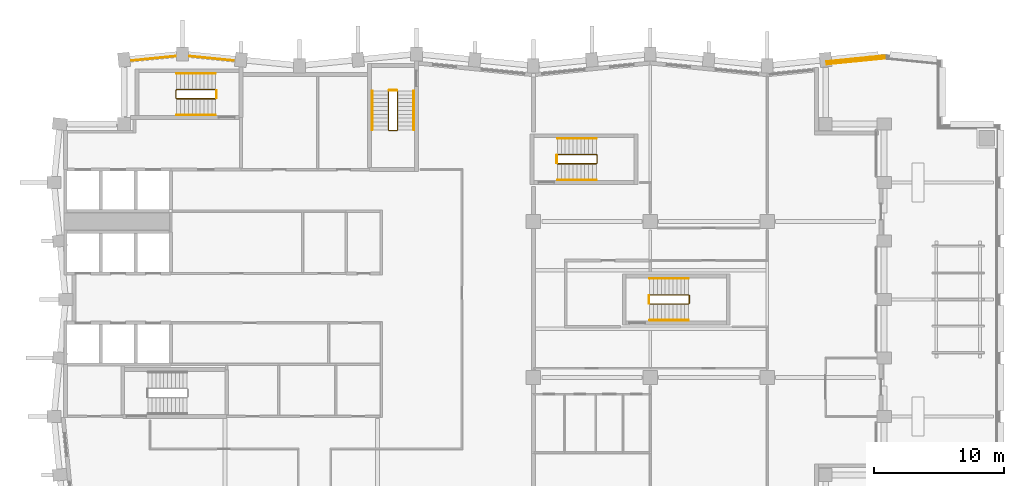
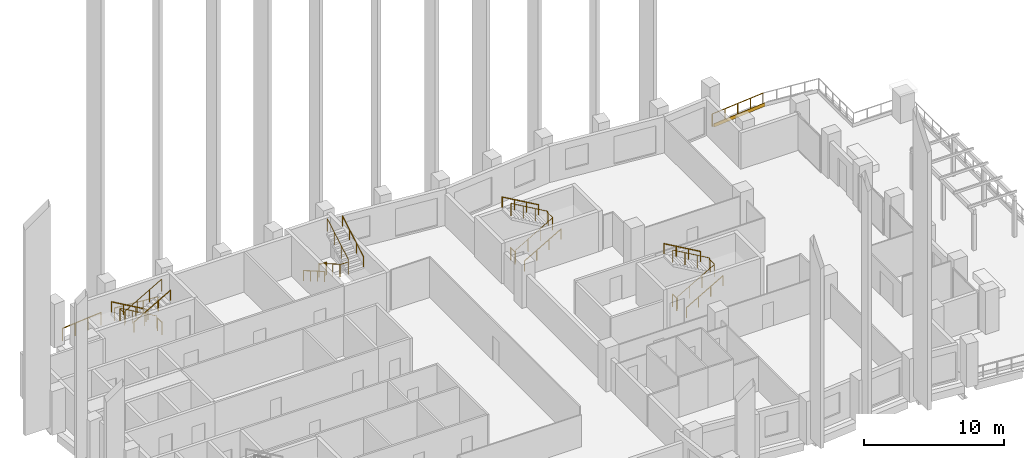
# One storey, part 17 of 18: 19 railings, 1 covering.
"""IFC4 building model written with IfcOpenShell, lengths in metres."""

from ifc_helpers import new_model, si_unit, direction, frame, origin, origin_2d, place, context, subcontext, project, spatial, polyline, circle, outline, extrude, material, layer, layer_set, type_object, element, save


model = new_model("IFC4")

# Units and contexts
model_context = context("Model", 3, precision=1e-05, world=origin(), true_north=direction((0.0, 1.0)))
body_context = subcontext(model_context, "Body", "Model", "MODEL_VIEW")
ifc_project = project(units=[si_unit("LENGTHUNIT", "METRE"), si_unit("AREAUNIT", "SQUARE_METRE"), si_unit("VOLUMEUNIT", "CUBIC_METRE"), si_unit("PLANEANGLEUNIT", "RADIAN"), si_unit("MASSUNIT", "GRAM", prefix="KILO")], contexts=[model_context])

# Site, building, storey
site_placement = place(None, origin())
site = spatial("IfcSite", under=ifc_project, at=site_placement, CompositionType="ELEMENT")
building_placement = place(site_placement, origin())
building = spatial("IfcBuilding", under=site, at=building_placement, Name="Brondeck Convention Tower", CompositionType="ELEMENT")
storey_placement = place(building_placement, frame((0.0, 0.0, 143.39990234375)))
storey = spatial("IfcBuildingStorey", under=building, at=storey_placement, Name="L34", CompositionType="ELEMENT", Elevation=143.39990234375)

# Railings
ifc_material_1 = material(Name="Steel S355, bronze painted", Category="steel")
railing_type_1 = type_object("IfcRailingType", Name="Guard, bronze steel rail and posts", PredefinedType="GUARDRAIL", material=ifc_material_1)
railing_1_placement = place(storey_placement, frame((58.564697265625, 63.3056640625, 0.0)))
element("IfcRailing", 1, at=railing_1_placement, inside=storey, type_object=railing_type_1, Name="ENV-S1-2b-RL1", PredefinedType="GUARDRAIL", context=body_context, shape_type="SweptSolid", body=[
    extrude(circle(Radius=0.02490234375, at=origin_2d()), frame((0.0, 0.0, 1.0751953125), z_axis=(0.995036109194, 0.099514528586, 0.0), x_axis=(-0.099514528586, 0.995036109194, 0.0)), (0.0, 0.0, 1.0), 4.472412109375),
    extrude(circle(Radius=0.02490234375, at=origin_2d()), origin(), (0.0, 0.0, 1.0), 1.050048828125),
    extrude(circle(Radius=0.02490234375, at=origin_2d()), frame((1.112548828125, 0.111328125, 0.0)), (0.0, 0.0, 1.0), 1.050048828125),
    extrude(circle(Radius=0.02490234375, at=origin_2d()), frame((2.22509765625, 0.22265625, 0.0)), (0.0, 0.0, 1.0), 1.050048828125),
    extrude(circle(Radius=0.02490234375, at=origin_2d()), frame((3.337646484375, 0.333740234375, 0.0)), (0.0, 0.0, 1.0), 1.050048828125),
    extrude(circle(Radius=0.02490234375, at=origin_2d()), frame((4.4501953125, 0.445068359375, 0.0)), (0.0, 0.0, 1.0), 1.050048828125),
])
railing_2_placement = place(storey_placement, frame((5.0791015625, 63.38720703125, 0.0)))
element("IfcRailing", 2, at=railing_2_placement, inside=storey, type_object=railing_type_1, Name="ENV-RL-L34-REAR1", PredefinedType="GUARDRAIL", context=body_context, shape_type="SweptSolid", body=[
    extrude(circle(Radius=0.02490234375, at=origin_2d()), frame((0.0, 0.0, 1.0751953125), z_axis=(0.995034331298, 0.099532303994, 0.0), x_axis=(-0.099532303994, 0.995034331298, 0.0)), (0.0, 0.0, 1.0), 3.382568359375),
    extrude(circle(Radius=0.02490234375, at=origin_2d()), origin(), (0.0, 0.0, 1.0), 1.050048828125),
    extrude(circle(Radius=0.02490234375, at=origin_2d()), frame((1.121826171875, 0.1123046875, 0.0)), (0.0, 0.0, 1.0), 1.050048828125),
    extrude(circle(Radius=0.02490234375, at=origin_2d()), frame((2.243896484375, 0.224365234375, 0.0)), (0.0, 0.0, 1.0), 1.050048828125),
    extrude(circle(Radius=0.02490234375, at=origin_2d()), frame((3.36572265625, 0.336669921875, 0.0)), (0.0, 0.0, 1.0), 1.050048828125),
])
railing_3_placement = place(storey_placement, frame((9.55517578125, 63.723876953125, 0.0)))
element("IfcRailing", 3, at=railing_3_placement, inside=storey, type_object=railing_type_1, Name="ENV-RL-L34-REAR2", PredefinedType="GUARDRAIL", context=body_context, shape_type="SweptSolid", body=[
    extrude(circle(Radius=0.02490234375, at=origin_2d()), frame((0.0, 0.0, 1.0751953125), z_axis=(0.995034331298, -0.099532303994, 0.0), x_axis=(0.099532303994, 0.995034331298, 0.0)), (0.0, 0.0, 1.0), 3.382568359375),
    extrude(circle(Radius=0.02490234375, at=origin_2d()), origin(), (0.0, 0.0, 1.0), 1.050048828125),
    extrude(circle(Radius=0.02490234375, at=origin_2d()), frame((1.121826171875, -0.1123046875, 0.0)), (0.0, 0.0, 1.0), 1.050048828125),
    extrude(circle(Radius=0.02490234375, at=origin_2d()), frame((2.243896484375, -0.224365234375, 0.0)), (0.0, 0.0, 1.0), 1.050048828125),
    extrude(circle(Radius=0.02490234375, at=origin_2d()), frame((3.36572265625, -0.336669921875, 0.0)), (0.0, 0.0, 1.0), 1.050048828125),
])

# Covering
ifc_material_2 = material(Name="Aluminium, bronze anodised", Category="aluminium")
ifc_layer = layer(ifc_material_2, 0.050048828125)
ifc_layer_set = layer_set([ifc_layer], Name="Snow retention bar")
covering_type = type_object("IfcCoveringType", Name="Snow retention bar", PredefinedType="MOLDING", material=ifc_layer_set)
covering_placement = place(storey_placement, frame((0.0, 0.0, 0.050048828125)))
element("IfcCovering", 4, at=covering_placement, inside=storey, type_object=covering_type, Name="ENV-S1-2b-SR1", PredefinedType="MOLDING", context=body_context, shape_type="SweptSolid", body=[
    extrude(outline(polyline([(63.0322265625, 63.57666015625), (58.58203125, 63.131591796875), (58.5869140625, 63.081787109375), (63.037353515625, 63.52685546875), (63.0322265625, 63.57666015625)])), origin(), (0.0, 0.0, 1.0), 0.300048828125),
])

# Railings
ifc_material_3 = material(Name="Steel S355", Category="steel")
railing_type_2 = type_object("IfcRailingType", Name="Stair guard 1100", PredefinedType="GUARDRAIL", material=ifc_material_3)
railing_4_placement = place(storey_placement, frame((24.85009765625, 61.050048828125, 0.1728515625)))
element("IfcRailing", 5, at=railing_4_placement, inside=storey, type_object=railing_type_2, Name="L34 ST-2 stair guard 1", PredefinedType="GUARDRAIL", context=body_context, shape_type="SweptSolid", body=[
    extrude(circle(Radius=0.02392578125, at=origin_2d()), frame((0.0, 0.0, 1.076171875), z_axis=(0.0, -0.866619684472, 0.498969260062), x_axis=(1.0, 0.0, 0.0)), (0.0, 0.0, 1.0), 3.461669921875),
    extrude(circle(Radius=0.02392578125, at=origin_2d()), frame((0.0, -3.0, 2.80322265625), z_axis=(0.705375805398, -0.708833529934, 0.0), x_axis=(0.708833529934, 0.705375805398, 0.0)), (0.0, 0.0, 1.0), 0.070556640625),
    extrude(circle(Radius=0.02392578125, at=origin_2d()), frame((0.0498046875, -3.050048828125, 2.80322265625), z_axis=(1.0, 0.0, 0.0), x_axis=(0.0, 1.0, 0.0)), (0.0, 0.0, 1.0), 0.60009765625),
    extrude(circle(Radius=0.02392578125, at=origin_2d()), frame((0.64990234375, -3.050048828125, 2.80322265625), z_axis=(0.268277960024, 0.268277960024, 0.925231793839), x_axis=(-0.707106781187, 0.707106781187, 0.0)), (0.0, 0.0, 1.0), 0.1865234375),
    extrude(circle(Radius=0.02392578125, at=origin_2d()), frame((0.699951171875, -3.0, 2.97607421875), z_axis=(0.0, 0.866619684472, 0.498969260062), x_axis=(-1.0, 0.0, 0.0)), (0.0, 0.0, 1.0), 3.461669921875),
    extrude(circle(Radius=0.02099609375, at=origin_2d()), origin(), (0.0, 0.0, 1.0), 1.052001953125),
    extrude(circle(Radius=0.02099609375, at=origin_2d()), frame((0.0, -1.0, 0.57568359375)), (0.0, 0.0, 1.0), 1.052001953125),
    extrude(circle(Radius=0.02099609375, at=origin_2d()), frame((0.0, -2.0, 1.151611328125)), (0.0, 0.0, 1.0), 1.052001953125),
    extrude(circle(Radius=0.02099609375, at=origin_2d()), frame((0.0, -3.0, 1.727294921875)), (0.0, 0.0, 1.0), 1.052001953125),
    extrude(circle(Radius=0.02099609375, at=origin_2d()), frame((0.0498046875, -3.050048828125, 1.727294921875)), (0.0, 0.0, 1.0), 1.052001953125),
    extrude(circle(Radius=0.02099609375, at=origin_2d()), frame((0.64990234375, -3.050048828125, 1.727294921875)), (0.0, 0.0, 1.0), 1.052001953125),
    extrude(circle(Radius=0.02099609375, at=origin_2d()), frame((0.699951171875, -3.0, 1.89990234375)), (0.0, 0.0, 1.0), 1.052001953125),
    extrude(circle(Radius=0.02099609375, at=origin_2d()), frame((0.699951171875, -2.0, 2.4755859375)), (0.0, 0.0, 1.0), 1.052001953125),
    extrude(circle(Radius=0.02099609375, at=origin_2d()), frame((0.699951171875, -1.0, 3.051513671875)), (0.0, 0.0, 1.0), 1.052001953125),
    extrude(circle(Radius=0.02099609375, at=origin_2d()), frame((0.699951171875, 0.0, 3.627197265625)), (0.0, 0.0, 1.0), 1.052001953125),
])
railing_5_placement = place(storey_placement, frame((24.89990234375, 61.10009765625, 0.0)))
element("IfcRailing", 6, at=railing_5_placement, inside=storey, type_object=railing_type_2, Name="L34 ST-2 stair guard 2", PredefinedType="GUARDRAIL", context=body_context, shape_type="SweptSolid", body=[
    extrude(circle(Radius=0.02392578125, at=origin_2d()), frame((0.0, 0.0, 1.076171875), z_axis=(1.0, 0.0, 0.0), x_axis=(0.0, 1.0, 0.0)), (0.0, 0.0, 1.0), 0.60009765625),
    extrude(circle(Radius=0.02099609375, at=origin_2d()), origin(), (0.0, 0.0, 1.0), 1.052001953125),
    extrude(circle(Radius=0.02099609375, at=origin_2d()), frame((0.60009765625, 0.0, 0.0)), (0.0, 0.0, 1.0), 1.052001953125),
])
railing_6_placement = place(storey_placement, frame((11.550048828125, 61.14990234375, 0.1728515625)))
element("IfcRailing", 7, at=railing_6_placement, inside=storey, type_object=railing_type_2, Name="L34 ST-3 stair guard 1", PredefinedType="GUARDRAIL", context=body_context, shape_type="SweptSolid", body=[
    extrude(circle(Radius=0.02392578125, at=origin_2d()), frame((0.0, 0.0, 1.076171875), z_axis=(-0.866619684472, 0.0, 0.498969260062), x_axis=(0.0, -1.0, 0.0)), (0.0, 0.0, 1.0), 3.461669921875),
    extrude(circle(Radius=0.02392578125, at=origin_2d()), frame((-3.0, 0.0, 2.80322265625), z_axis=(-0.708833529934, -0.705375805398, 0.0), x_axis=(0.705375805398, -0.708833529934, 0.0)), (0.0, 0.0, 1.0), 0.070556640625),
    extrude(circle(Radius=0.02392578125, at=origin_2d()), frame((-3.050048828125, -0.0498046875, 2.80322265625), z_axis=(0.0, -1.0, 0.0), x_axis=(1.0, 0.0, 0.0)), (0.0, 0.0, 1.0), 0.60009765625),
    extrude(circle(Radius=0.02392578125, at=origin_2d()), frame((-3.050048828125, -0.64990234375, 2.80322265625), z_axis=(0.268277960024, -0.268277960024, 0.925231793839), x_axis=(0.707106781187, 0.707106781187, 0.0)), (0.0, 0.0, 1.0), 0.1865234375),
    extrude(circle(Radius=0.02392578125, at=origin_2d()), frame((-3.0, -0.699951171875, 2.97607421875), z_axis=(0.866619684472, 0.0, 0.498969260062), x_axis=(0.0, 1.0, 0.0)), (0.0, 0.0, 1.0), 3.461669921875),
    extrude(circle(Radius=0.02099609375, at=origin_2d()), origin(), (0.0, 0.0, 1.0), 1.052001953125),
    extrude(circle(Radius=0.02099609375, at=origin_2d()), frame((-1.0, 0.0, 0.57568359375)), (0.0, 0.0, 1.0), 1.052001953125),
    extrude(circle(Radius=0.02099609375, at=origin_2d()), frame((-2.0, 0.0, 1.151611328125)), (0.0, 0.0, 1.0), 1.052001953125),
    extrude(circle(Radius=0.02099609375, at=origin_2d()), frame((-3.0, 0.0, 1.727294921875)), (0.0, 0.0, 1.0), 1.052001953125),
    extrude(circle(Radius=0.02099609375, at=origin_2d()), frame((-3.050048828125, -0.0498046875, 1.727294921875)), (0.0, 0.0, 1.0), 1.052001953125),
    extrude(circle(Radius=0.02099609375, at=origin_2d()), frame((-3.050048828125, -0.64990234375, 1.727294921875)), (0.0, 0.0, 1.0), 1.052001953125),
    extrude(circle(Radius=0.02099609375, at=origin_2d()), frame((-3.0, -0.699951171875, 1.89990234375)), (0.0, 0.0, 1.0), 1.052001953125),
    extrude(circle(Radius=0.02099609375, at=origin_2d()), frame((-2.0, -0.699951171875, 2.4755859375)), (0.0, 0.0, 1.0), 1.052001953125),
    extrude(circle(Radius=0.02099609375, at=origin_2d()), frame((-1.0, -0.699951171875, 3.051513671875)), (0.0, 0.0, 1.0), 1.052001953125),
    extrude(circle(Radius=0.02099609375, at=origin_2d()), frame((0.0, -0.699951171875, 3.627197265625)), (0.0, 0.0, 1.0), 1.052001953125),
])
railing_7_placement = place(storey_placement, frame((11.60009765625, 61.10009765625, 0.0)))
element("IfcRailing", 8, at=railing_7_placement, inside=storey, type_object=railing_type_2, Name="L34 ST-3 stair guard 2", PredefinedType="GUARDRAIL", context=body_context, shape_type="SweptSolid", body=[
    extrude(circle(Radius=0.02392578125, at=origin_2d()), frame((0.0, 0.0, 1.076171875), z_axis=(0.0, -1.0, 0.0), x_axis=(1.0, 0.0, 0.0)), (0.0, 0.0, 1.0), 0.60009765625),
    extrude(circle(Radius=0.02099609375, at=origin_2d()), origin(), (0.0, 0.0, 1.0), 1.052001953125),
    extrude(circle(Radius=0.02099609375, at=origin_2d()), frame((0.0, -0.60009765625, 0.0)), (0.0, 0.0, 1.0), 1.052001953125),
])
railing_8_placement = place(storey_placement, frame((37.85009765625, 55.449951171875, 0.1728515625)))
element("IfcRailing", 9, at=railing_8_placement, inside=storey, type_object=railing_type_2, Name="L34 ST-AE stair guard 1", PredefinedType="GUARDRAIL", context=body_context, shape_type="SweptSolid", body=[
    extrude(circle(Radius=0.02392578125, at=origin_2d()), frame((0.0, 0.0, 1.076171875), z_axis=(0.866619684472, 0.0, 0.498969260062), x_axis=(0.0, 1.0, 0.0)), (0.0, 0.0, 1.0), 3.461669921875),
    extrude(circle(Radius=0.02392578125, at=origin_2d()), frame((3.0, 0.0, 2.80322265625), z_axis=(0.705375805398, 0.708833529934, 0.0), x_axis=(-0.708833529934, 0.705375805398, 0.0)), (0.0, 0.0, 1.0), 0.070556640625),
    extrude(circle(Radius=0.02392578125, at=origin_2d()), frame((3.0498046875, 0.050048828125, 2.80322265625), z_axis=(0.0, 1.0, 0.0), x_axis=(-1.0, 0.0, 0.0)), (0.0, 0.0, 1.0), 0.60009765625),
    extrude(circle(Radius=0.02392578125, at=origin_2d()), frame((3.0498046875, 0.650146484375, 2.80322265625), z_axis=(-0.26715648603, 0.26715648603, 0.925880566782), x_axis=(-0.707106781187, -0.707106781187, 0.0)), (0.0, 0.0, 1.0), 0.1865234375),
    extrude(circle(Radius=0.02392578125, at=origin_2d()), frame((3.0, 0.699951171875, 2.97607421875), z_axis=(-0.866619684472, 0.0, 0.498969260062), x_axis=(0.0, -1.0, 0.0)), (0.0, 0.0, 1.0), 3.461669921875),
    extrude(circle(Radius=0.02099609375, at=origin_2d()), origin(), (0.0, 0.0, 1.0), 1.052001953125),
    extrude(circle(Radius=0.02099609375, at=origin_2d()), frame((1.0, 0.0, 0.57568359375)), (0.0, 0.0, 1.0), 1.052001953125),
    extrude(circle(Radius=0.02099609375, at=origin_2d()), frame((2.0, 0.0, 1.151611328125)), (0.0, 0.0, 1.0), 1.052001953125),
    extrude(circle(Radius=0.02099609375, at=origin_2d()), frame((3.0, 0.0, 1.727294921875)), (0.0, 0.0, 1.0), 1.052001953125),
    extrude(circle(Radius=0.02099609375, at=origin_2d()), frame((3.0498046875, 0.050048828125, 1.727294921875)), (0.0, 0.0, 1.0), 1.052001953125),
    extrude(circle(Radius=0.02099609375, at=origin_2d()), frame((3.0498046875, 0.650146484375, 1.727294921875)), (0.0, 0.0, 1.0), 1.052001953125),
    extrude(circle(Radius=0.02099609375, at=origin_2d()), frame((3.0, 0.699951171875, 1.89990234375)), (0.0, 0.0, 1.0), 1.052001953125),
    extrude(circle(Radius=0.02099609375, at=origin_2d()), frame((2.0, 0.699951171875, 2.4755859375)), (0.0, 0.0, 1.0), 1.052001953125),
    extrude(circle(Radius=0.02099609375, at=origin_2d()), frame((1.0, 0.699951171875, 3.051513671875)), (0.0, 0.0, 1.0), 1.052001953125),
    extrude(circle(Radius=0.02099609375, at=origin_2d()), frame((0.0, 0.699951171875, 3.627197265625)), (0.0, 0.0, 1.0), 1.052001953125),
])
railing_9_placement = place(storey_placement, frame((37.800048828125, 55.5, 0.0)))
element("IfcRailing", 10, at=railing_9_placement, inside=storey, type_object=railing_type_2, Name="L34 ST-AE stair guard 2", PredefinedType="GUARDRAIL", context=body_context, shape_type="SweptSolid", body=[
    extrude(circle(Radius=0.02392578125, at=origin_2d()), frame((0.0, 0.0, 1.076171875), z_axis=(0.0, 1.0, 0.0), x_axis=(-1.0, 0.0, 0.0)), (0.0, 0.0, 1.0), 0.60009765625),
    extrude(circle(Radius=0.02099609375, at=origin_2d()), origin(), (0.0, 0.0, 1.0), 1.052001953125),
    extrude(circle(Radius=0.02099609375, at=origin_2d()), frame((0.0, 0.60009765625, 0.0)), (0.0, 0.0, 1.0), 1.052001953125),
])
railing_10_placement = place(storey_placement, frame((44.949951171875, 44.64990234375, 0.1728515625)))
element("IfcRailing", 11, at=railing_10_placement, inside=storey, type_object=railing_type_2, Name="L34 ST-AF stair guard 1", PredefinedType="GUARDRAIL", context=body_context, shape_type="SweptSolid", body=[
    extrude(circle(Radius=0.02392578125, at=origin_2d()), frame((0.0, 0.0, 1.076171875), z_axis=(0.866619684472, 0.0, 0.498969260062), x_axis=(0.0, 1.0, 0.0)), (0.0, 0.0, 1.0), 3.461669921875),
    extrude(circle(Radius=0.02392578125, at=origin_2d()), frame((3.0, 0.0, 2.80322265625), z_axis=(0.707106781187, 0.707106781187, 0.0), x_axis=(-0.707106781187, 0.707106781187, 0.0)), (0.0, 0.0, 1.0), 0.07080078125),
    extrude(circle(Radius=0.02392578125, at=origin_2d()), frame((3.050048828125, 0.050048828125, 2.80322265625), z_axis=(0.0, 1.0, 0.0), x_axis=(-1.0, 0.0, 0.0)), (0.0, 0.0, 1.0), 0.60009765625),
    extrude(circle(Radius=0.02392578125, at=origin_2d()), frame((3.050048828125, 0.650146484375, 2.80322265625), z_axis=(-0.268277960024, 0.268277960024, 0.925231793839), x_axis=(-0.707106781187, -0.707106781187, 0.0)), (0.0, 0.0, 1.0), 0.1865234375),
    extrude(circle(Radius=0.02392578125, at=origin_2d()), frame((3.0, 0.7001953125, 2.97607421875), z_axis=(-0.866619684472, 0.0, 0.498969260062), x_axis=(0.0, -1.0, 0.0)), (0.0, 0.0, 1.0), 3.461669921875),
    extrude(circle(Radius=0.02099609375, at=origin_2d()), origin(), (0.0, 0.0, 1.0), 1.052001953125),
    extrude(circle(Radius=0.02099609375, at=origin_2d()), frame((1.0, 0.0, 0.57568359375)), (0.0, 0.0, 1.0), 1.052001953125),
    extrude(circle(Radius=0.02099609375, at=origin_2d()), frame((2.0, 0.0, 1.151611328125)), (0.0, 0.0, 1.0), 1.052001953125),
    extrude(circle(Radius=0.02099609375, at=origin_2d()), frame((3.0, 0.0, 1.727294921875)), (0.0, 0.0, 1.0), 1.052001953125),
    extrude(circle(Radius=0.02099609375, at=origin_2d()), frame((3.050048828125, 0.050048828125, 1.727294921875)), (0.0, 0.0, 1.0), 1.052001953125),
    extrude(circle(Radius=0.02099609375, at=origin_2d()), frame((3.050048828125, 0.650146484375, 1.727294921875)), (0.0, 0.0, 1.0), 1.052001953125),
    extrude(circle(Radius=0.02099609375, at=origin_2d()), frame((3.0, 0.7001953125, 1.89990234375)), (0.0, 0.0, 1.0), 1.052001953125),
    extrude(circle(Radius=0.02099609375, at=origin_2d()), frame((2.0, 0.7001953125, 2.4755859375)), (0.0, 0.0, 1.0), 1.052001953125),
    extrude(circle(Radius=0.02099609375, at=origin_2d()), frame((1.0, 0.7001953125, 3.051513671875)), (0.0, 0.0, 1.0), 1.052001953125),
    extrude(circle(Radius=0.02099609375, at=origin_2d()), frame((0.0, 0.7001953125, 3.627197265625)), (0.0, 0.0, 1.0), 1.052001953125),
])
railing_11_placement = place(storey_placement, frame((44.89990234375, 44.699951171875, 0.0)))
element("IfcRailing", 12, at=railing_11_placement, inside=storey, type_object=railing_type_2, Name="L34 ST-AF stair guard 2", PredefinedType="GUARDRAIL", context=body_context, shape_type="SweptSolid", body=[
    extrude(circle(Radius=0.02392578125, at=origin_2d()), frame((0.0, 0.0, 1.076171875), z_axis=(0.0, 1.0, 0.0), x_axis=(-1.0, 0.0, 0.0)), (0.0, 0.0, 1.0), 0.60009765625),
    extrude(circle(Radius=0.02099609375, at=origin_2d()), origin(), (0.0, 0.0, 1.0), 1.052001953125),
    extrude(circle(Radius=0.02099609375, at=origin_2d()), frame((0.0, 0.60009765625, 0.0)), (0.0, 0.0, 1.0), 1.052001953125),
])
railing_type_3 = type_object("IfcRailingType", Name="Stair handrail", PredefinedType="HANDRAIL", material=ifc_material_3)
railing_12_placement = place(storey_placement, frame((23.60009765625, 61.050048828125, 0.1728515625)))
element("IfcRailing", 13, at=railing_12_placement, inside=storey, type_object=railing_type_3, Name="L34 ST-2 stair handrail 1", PredefinedType="HANDRAIL", context=body_context, shape_type="SweptSolid", body=[
    extrude(circle(Radius=0.02392578125, at=origin_2d()), frame((0.0, 0.0, 0.8759765625), z_axis=(0.0, -0.866619684472, 0.498969260062), x_axis=(1.0, 0.0, 0.0)), (0.0, 0.0, 1.0), 3.461669921875),
    extrude(circle(Radius=0.02099609375, at=origin_2d()), origin(), (0.0, 0.0, 1.0), 0.851806640625),
    extrude(circle(Radius=0.02099609375, at=origin_2d()), frame((0.0, -1.0, 0.57568359375)), (0.0, 0.0, 1.0), 0.851806640625),
    extrude(circle(Radius=0.02099609375, at=origin_2d()), frame((0.0, -2.0, 1.151611328125)), (0.0, 0.0, 1.0), 0.851806640625),
    extrude(circle(Radius=0.02099609375, at=origin_2d()), frame((0.0, -3.0, 1.727294921875)), (0.0, 0.0, 1.0), 0.851806640625),
])
railing_13_placement = place(storey_placement, frame((26.800048828125, 58.050048828125, 2.07275390625)))
element("IfcRailing", 14, at=railing_13_placement, inside=storey, type_object=railing_type_3, Name="L34 ST-2 stair handrail 2", PredefinedType="HANDRAIL", context=body_context, shape_type="SweptSolid", body=[
    extrude(circle(Radius=0.02392578125, at=origin_2d()), frame((0.0, 0.0, 0.8759765625), z_axis=(0.0, 0.866619684472, 0.498969260062), x_axis=(-1.0, 0.0, 0.0)), (0.0, 0.0, 1.0), 3.461669921875),
    extrude(circle(Radius=0.02099609375, at=origin_2d()), origin(), (0.0, 0.0, 1.0), 0.851806640625),
    extrude(circle(Radius=0.02099609375, at=origin_2d()), frame((0.0, 1.0, 0.57568359375)), (0.0, 0.0, 1.0), 0.851806640625),
    extrude(circle(Radius=0.02099609375, at=origin_2d()), frame((0.0, 2.0, 1.151611328125)), (0.0, 0.0, 1.0), 0.851806640625),
    extrude(circle(Radius=0.02099609375, at=origin_2d()), frame((0.0, 3.0, 1.727294921875)), (0.0, 0.0, 1.0), 0.851806640625),
])
railing_14_placement = place(storey_placement, frame((11.550048828125, 62.39990234375, 0.1728515625)))
element("IfcRailing", 15, at=railing_14_placement, inside=storey, type_object=railing_type_3, Name="L34 ST-3 stair handrail 1", PredefinedType="HANDRAIL", context=body_context, shape_type="SweptSolid", body=[
    extrude(circle(Radius=0.02392578125, at=origin_2d()), frame((0.0, 0.0, 0.8759765625), z_axis=(-0.866619684472, 0.0, 0.498969260062), x_axis=(0.0, -1.0, 0.0)), (0.0, 0.0, 1.0), 3.461669921875),
    extrude(circle(Radius=0.02099609375, at=origin_2d()), origin(), (0.0, 0.0, 1.0), 0.851806640625),
    extrude(circle(Radius=0.02099609375, at=origin_2d()), frame((-1.0, 0.0, 0.57568359375)), (0.0, 0.0, 1.0), 0.851806640625),
    extrude(circle(Radius=0.02099609375, at=origin_2d()), frame((-2.0, 0.0, 1.151611328125)), (0.0, 0.0, 1.0), 0.851806640625),
    extrude(circle(Radius=0.02099609375, at=origin_2d()), frame((-3.0, 0.0, 1.727294921875)), (0.0, 0.0, 1.0), 0.851806640625),
])
for number, where, name in (
    (16, (8.550048828125, 59.199951171875, 2.07275390625), "L34 ST-3 stair handrail 2"),
    (17, (37.85009765625, 54.199951171875, 0.1728515625), "L34 ST-AE stair handrail 1"),
):
    element("IfcRailing", number, at=place(storey_placement, frame(where)), inside=storey, type_object=railing_type_3, Name=name, PredefinedType="HANDRAIL", context=body_context, shape_type="SweptSolid", body=[
        extrude(circle(Radius=0.02392578125, at=origin_2d()), frame((0.0, 0.0, 0.8759765625), z_axis=(0.866619684472, 0.0, 0.498969260062), x_axis=(0.0, 1.0, 0.0)), (0.0, 0.0, 1.0), 3.461669921875),
        extrude(circle(Radius=0.02099609375, at=origin_2d()), origin(), (0.0, 0.0, 1.0), 0.851806640625),
        extrude(circle(Radius=0.02099609375, at=origin_2d()), frame((1.0, 0.0, 0.57568359375)), (0.0, 0.0, 1.0), 0.851806640625),
        extrude(circle(Radius=0.02099609375, at=origin_2d()), frame((2.0, 0.0, 1.151611328125)), (0.0, 0.0, 1.0), 0.851806640625),
        extrude(circle(Radius=0.02099609375, at=origin_2d()), frame((3.0, 0.0, 1.727294921875)), (0.0, 0.0, 1.0), 0.851806640625),
    ])
railing_15_placement = place(storey_placement, frame((40.85009765625, 57.39990234375, 2.07275390625)))
element("IfcRailing", 18, at=railing_15_placement, inside=storey, type_object=railing_type_3, Name="L34 ST-AE stair handrail 2", PredefinedType="HANDRAIL", context=body_context, shape_type="SweptSolid", body=[
    extrude(circle(Radius=0.02392578125, at=origin_2d()), frame((0.0, 0.0, 0.8759765625), z_axis=(-0.866619684472, 0.0, 0.498969260062), x_axis=(0.0, -1.0, 0.0)), (0.0, 0.0, 1.0), 3.461669921875),
    extrude(circle(Radius=0.02099609375, at=origin_2d()), origin(), (0.0, 0.0, 1.0), 0.851806640625),
    extrude(circle(Radius=0.02099609375, at=origin_2d()), frame((-1.0, 0.0, 0.57568359375)), (0.0, 0.0, 1.0), 0.851806640625),
    extrude(circle(Radius=0.02099609375, at=origin_2d()), frame((-2.0, 0.0, 1.151611328125)), (0.0, 0.0, 1.0), 0.851806640625),
    extrude(circle(Radius=0.02099609375, at=origin_2d()), frame((-3.0, 0.0, 1.727294921875)), (0.0, 0.0, 1.0), 0.851806640625),
])
railing_16_placement = place(storey_placement, frame((44.949951171875, 43.39990234375, 0.1728515625)))
element("IfcRailing", 19, at=railing_16_placement, inside=storey, type_object=railing_type_3, Name="L34 ST-AF stair handrail 1", PredefinedType="HANDRAIL", context=body_context, shape_type="SweptSolid", body=[
    extrude(circle(Radius=0.02392578125, at=origin_2d()), frame((0.0, 0.0, 0.8759765625), z_axis=(0.866619684472, 0.0, 0.498969260062), x_axis=(0.0, 1.0, 0.0)), (0.0, 0.0, 1.0), 3.461669921875),
    extrude(circle(Radius=0.02099609375, at=origin_2d()), origin(), (0.0, 0.0, 1.0), 0.851806640625),
    extrude(circle(Radius=0.02099609375, at=origin_2d()), frame((1.0, 0.0, 0.57568359375)), (0.0, 0.0, 1.0), 0.851806640625),
    extrude(circle(Radius=0.02099609375, at=origin_2d()), frame((2.0, 0.0, 1.151611328125)), (0.0, 0.0, 1.0), 0.851806640625),
    extrude(circle(Radius=0.02099609375, at=origin_2d()), frame((3.0, 0.0, 1.727294921875)), (0.0, 0.0, 1.0), 0.851806640625),
])
railing_17_placement = place(storey_placement, frame((47.949951171875, 46.60009765625, 2.07275390625)))
element("IfcRailing", 20, at=railing_17_placement, inside=storey, type_object=railing_type_3, Name="L34 ST-AF stair handrail 2", PredefinedType="HANDRAIL", context=body_context, shape_type="SweptSolid", body=[
    extrude(circle(Radius=0.02392578125, at=origin_2d()), frame((0.0, 0.0, 0.8759765625), z_axis=(-0.866619684472, 0.0, 0.498969260062), x_axis=(0.0, -1.0, 0.0)), (0.0, 0.0, 1.0), 3.461669921875),
    extrude(circle(Radius=0.02099609375, at=origin_2d()), origin(), (0.0, 0.0, 1.0), 0.851806640625),
    extrude(circle(Radius=0.02099609375, at=origin_2d()), frame((-1.0, 0.0, 0.57568359375)), (0.0, 0.0, 1.0), 0.851806640625),
    extrude(circle(Radius=0.02099609375, at=origin_2d()), frame((-2.0, 0.0, 1.151611328125)), (0.0, 0.0, 1.0), 0.851806640625),
    extrude(circle(Radius=0.02099609375, at=origin_2d()), frame((-3.0, 0.0, 1.727294921875)), (0.0, 0.0, 1.0), 0.851806640625),
])

save(model, "model.ifc")
